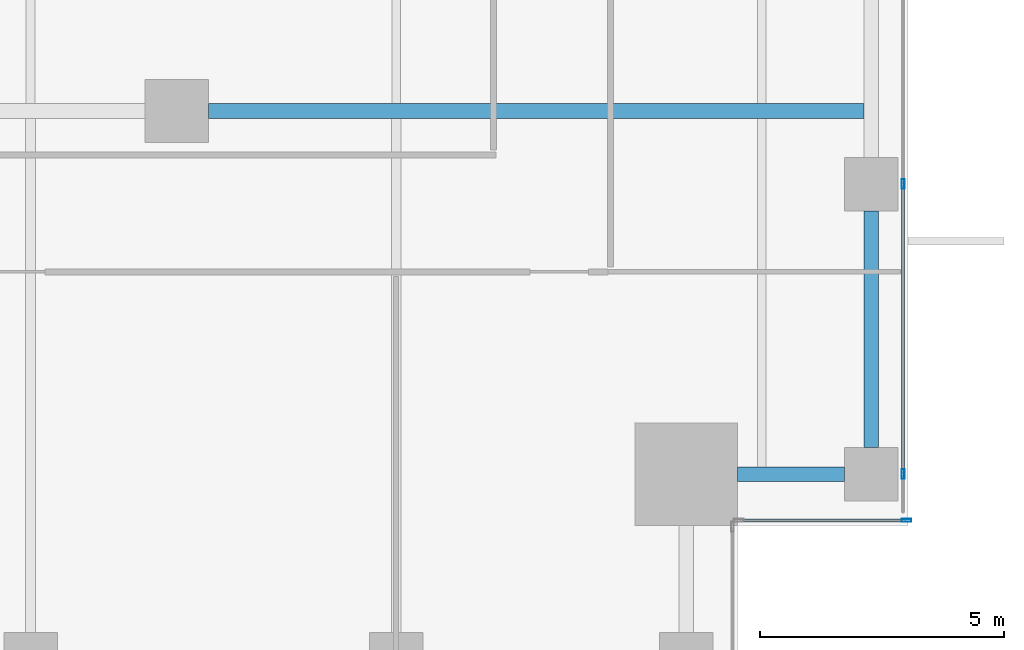
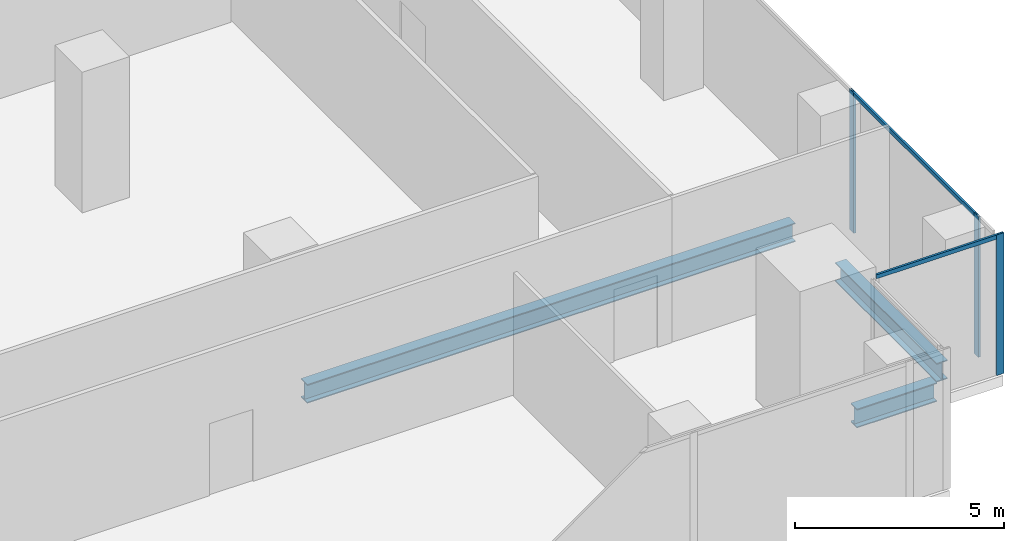
# One storey, part 11 of 34: 5 members, 3 beams, 2 elements without a shape of their own.
"""IFC4 building model written with IfcOpenShell, lengths in metres."""

from ifc_helpers import new_model, si_unit, direction, frame, origin, origin_2d, place, context, subcontext, project, spatial, hollow_rectangle, i_section, extrude, source, transform, mapped, material, material_profile, profile_set, type_object, element, aggregate, save


model = new_model("IFC4")

# Units and contexts
model_context = context("Model", 3, precision=1e-05, world=origin(), true_north=direction((0.0, 1.0)))
body_context = subcontext(model_context, "Body", "Model", "MODEL_VIEW")
ifc_project = project(units=[si_unit("LENGTHUNIT", "METRE"), si_unit("AREAUNIT", "SQUARE_METRE"), si_unit("VOLUMEUNIT", "CUBIC_METRE"), si_unit("PLANEANGLEUNIT", "RADIAN"), si_unit("MASSUNIT", "GRAM", prefix="KILO")], contexts=[model_context])

# Site, building, storey
site_placement = place(None, origin())
site = spatial("IfcSite", under=ifc_project, at=site_placement, CompositionType="ELEMENT")
building_placement = place(site_placement, origin())
building = spatial("IfcBuilding", under=site, at=building_placement, Name="Khomas Fold Tower", CompositionType="ELEMENT")
storey_placement = place(building_placement, frame((0.0, 0.0, 123.5)))
storey = spatial("IfcBuildingStorey", under=building, at=storey_placement, Name="L26", CompositionType="ELEMENT", Elevation=123.5)

# Beams
ifc_material_1 = material(Name="Steel S355", Category="steel")
ifc_material_profile_1 = material_profile(ifc_material_1, i_section(OverallWidth=0.300048828125, OverallDepth=0.550048828125, WebThickness=0.014892578125, FlangeThickness=0.029052734375, at=origin_2d()), Name="HE 550 B")
ifc_profile_set_1 = profile_set([ifc_material_profile_1], Name="Steel S355")
beam_type_1 = type_object("IfcBeamType", Name="HE 550 B spandrel SB2", PredefinedType="SPANDREL", material=ifc_profile_set_1)
shared_shape_1 = source(origin(), body_context, "Body", "SweptSolid", [
    extrude(i_section(OverallWidth=0.300048828125, OverallDepth=0.550048828125, WebThickness=0.014892578125, FlangeThickness=0.029052734375, at=origin_2d()), origin(), (0.0, 0.0, 1.0), 4.849853515625),
])
beam_1_placement = place(storey_placement, frame((51.75, 6.60009765625, -0.574951171875), z_axis=(0.0, 1.0, 0.0), x_axis=(-1.0, 0.0, 0.0)))
element("IfcBeam", 1, at=beam_1_placement, inside=storey, type_object=beam_type_1, Name="SB2", PredefinedType="SPANDREL", context=body_context, shape_type="MappedRepresentation", body=[
    mapped(shared_shape_1, transform((0.0, 0.0, 0.0))),
])
shared_shape_2 = source(origin(), body_context, "Body", "SweptSolid", [
    extrude(i_section(OverallWidth=0.300048828125, OverallDepth=0.550048828125, WebThickness=0.014892578125, FlangeThickness=0.029052734375, at=origin_2d()), origin(), (0.0, 0.0, 1.0), 2.199951171875),
])
beam_2_placement = place(storey_placement, frame((49.0, 6.050048828125, -0.574951171875), z_axis=(1.0, 0.0, 0.0), x_axis=(0.0, 1.0, 0.0)))
element("IfcBeam", 2, at=beam_2_placement, inside=storey, type_object=beam_type_1, Name="SB2", PredefinedType="SPANDREL", context=body_context, shape_type="MappedRepresentation", body=[
    mapped(shared_shape_2, transform((0.0, 0.0, 0.0))),
])
ifc_material_2 = material(Name="Steel S355", Category="steel")
ifc_material_profile_2 = material_profile(ifc_material_2, i_section(OverallWidth=0.300048828125, OverallDepth=0.550048828125, WebThickness=0.014892578125, FlangeThickness=0.029052734375, at=origin_2d()), Name="HE 550 B")
ifc_profile_set_2 = profile_set([ifc_material_profile_2], Name="Steel S355")
beam_type_2 = type_object("IfcBeamType", Name="HE 550 B beam GB4", PredefinedType="BEAM", material=ifc_profile_set_2)
shared_shape_3 = source(origin(), body_context, "Body", "SweptSolid", [
    extrude(i_section(OverallWidth=0.300048828125, OverallDepth=0.550048828125, WebThickness=0.014892578125, FlangeThickness=0.029052734375, at=origin_2d()), origin(), (0.0, 0.0, 1.0), 13.4501953125),
])
beam_3_placement = place(storey_placement, frame((38.14990234375, 13.5, -0.574951171875), z_axis=(1.0, 0.0, 0.0), x_axis=(0.0, 1.0, 0.0)))
element("IfcBeam", 3, at=beam_3_placement, inside=storey, type_object=beam_type_2, Name="GB4", PredefinedType="BEAM", context=body_context, shape_type="MappedRepresentation", body=[
    mapped(shared_shape_3, transform((0.0, 0.0, 0.0))),
])

# Curtain wall, member
ifc_material_3 = material(Name="Aluminium framed double glazing", Category="aluminium")
curtain_wall_type = type_object("IfcCurtainWallType", Name="SK-Unitised clear-glass wall, growing floors CW1", PredefinedType="NOTDEFINED", material=ifc_material_3)
curtain_wall_1_placement = place(storey_placement, origin())
curtain_wall_1 = element("IfcCurtainWall", 4, at=curtain_wall_1_placement, inside=storey, type_object=curtain_wall_type, Name="CW1 corner return L26 02", PredefinedType="NOTDEFINED")
ifc_material_4 = material(Name="Aluminium", Category="aluminium")
ifc_material_profile_3 = material_profile(ifc_material_4, hollow_rectangle(XDim=0.06005859375, YDim=0.199951171875, WallThickness=0.00390625, at=origin_2d()), Name="SK-Unitised clear-glass wall, growing floors mullion CW1-M")
ifc_profile_set_3 = profile_set([ifc_material_profile_3], Name="Aluminium")
member_type_1 = type_object("IfcMemberType", Name="SK-Unitised clear-glass wall, growing floors mullion CW1-M", PredefinedType="MULLION", material=ifc_profile_set_3)
shared_shape_4 = source(origin(), body_context, "Body", "SweptSolid", [
    extrude(hollow_rectangle(XDim=0.06005859375, YDim=0.199951171875, WallThickness=0.00390625, at=origin_2d()), origin(), (0.0, 0.0, 1.0), 4.10009765625),
])
member_1_placement = place(storey_placement, frame((52.469970703125, 5.10009765625, 0.0), z_axis=(0.0, 0.0, 1.0), x_axis=(0.0, 1.0, 0.0)))
member_1 = element("IfcMember", 5, at=member_1_placement, type_object=member_type_1, Name="CW1 mullion 2", PredefinedType="MULLION", context=body_context, shape_type="MappedRepresentation", body=[
    mapped(shared_shape_4, transform((0.0, 0.0, 0.0))),
])

# Curtain wall, members
curtain_wall_2_placement = place(storey_placement, origin())
curtain_wall_2 = element("IfcCurtainWall", 6, at=curtain_wall_2_placement, inside=storey, type_object=curtain_wall_type, Name="CW1 run L26 03-0", PredefinedType="NOTDEFINED")
member_2_placement = place(storey_placement, frame((52.39990234375, 6.050048828125, 0.0), z_axis=(0.0, 0.0, 1.0), x_axis=(-1.0, 0.0, 0.0)))
member_2 = element("IfcMember", 7, at=member_2_placement, type_object=member_type_1, Name="CW1 mullion 2", PredefinedType="MULLION", context=body_context, shape_type="MappedRepresentation", body=[
    mapped(shared_shape_4, transform((0.0, 0.0, 0.0))),
])
member_3_placement = place(storey_placement, frame((52.39990234375, 12.0, 0.0), z_axis=(0.0, 0.0, 1.0), x_axis=(-1.0, 0.0, 0.0)))
member_3 = element("IfcMember", 8, at=member_3_placement, type_object=member_type_1, Name="CW1 mullion 3", PredefinedType="MULLION", context=body_context, shape_type="MappedRepresentation", body=[
    mapped(shared_shape_4, transform((0.0, 0.0, 0.0))),
])
ifc_material_5 = material(Name="Aluminium", Category="aluminium")
ifc_material_profile_4 = material_profile(ifc_material_5, hollow_rectangle(XDim=0.06005859375, YDim=0.1201171875, WallThickness=0.00390625, at=origin_2d()), Name="SK-Unitised clear-glass wall, growing floors transom CW1-T")
ifc_profile_set_4 = profile_set([ifc_material_profile_4], Name="Aluminium")
member_type_2 = type_object("IfcMemberType", Name="SK-Unitised clear-glass wall, growing floors transom CW1-T", PredefinedType="USERDEFINED", material=ifc_profile_set_4)
shared_shape_5 = source(origin(), body_context, "Body", "SweptSolid", [
    extrude(hollow_rectangle(XDim=0.06005859375, YDim=0.1201171875, WallThickness=0.00390625, at=origin_2d()), origin(), (0.0, 0.0, 1.0), 5.889892578125),
])
member_4_placement = place(storey_placement, frame((52.39990234375, 6.080078125, 4.0400390625), z_axis=(0.0, 1.0, 0.0), x_axis=(-1.0, 0.0, 0.0)))
member_4 = element("IfcMember", 9, at=member_4_placement, type_object=member_type_2, Name="CW1 transom 2", ObjectType="TRANSOM", PredefinedType="USERDEFINED", context=body_context, shape_type="MappedRepresentation", body=[
    mapped(shared_shape_5, transform((0.0, 0.0, 0.0))),
])
aggregate(curtain_wall_2, [member_2, member_3, member_4])

# Member
shared_shape_6 = source(origin(), body_context, "Body", "SweptSolid", [
    extrude(hollow_rectangle(XDim=0.06005859375, YDim=0.1201171875, WallThickness=0.00390625, at=origin_2d()), origin(), (0.0, 0.0, 1.0), 3.3798828125),
])
member_5_placement = place(storey_placement, frame((49.06005859375, 5.10009765625, 4.0400390625), z_axis=(1.0, 0.0, 0.0), x_axis=(0.0, 1.0, 0.0)))
member_5 = element("IfcMember", 10, at=member_5_placement, type_object=member_type_2, Name="CW1 transom 1", ObjectType="TRANSOM", PredefinedType="USERDEFINED", context=body_context, shape_type="MappedRepresentation", body=[
    mapped(shared_shape_6, transform((0.0, 0.0, 0.0))),
])

aggregate(curtain_wall_1, [member_1, member_5])

save(model, "model.ifc")
